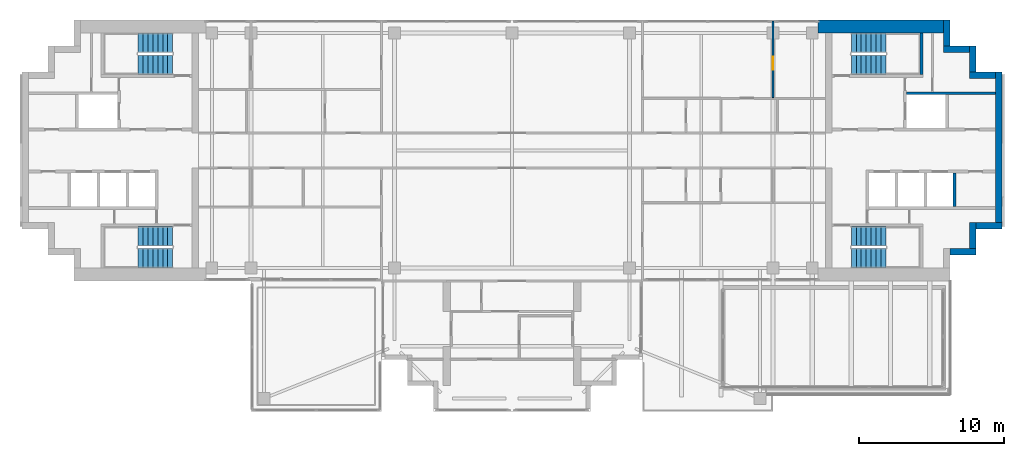
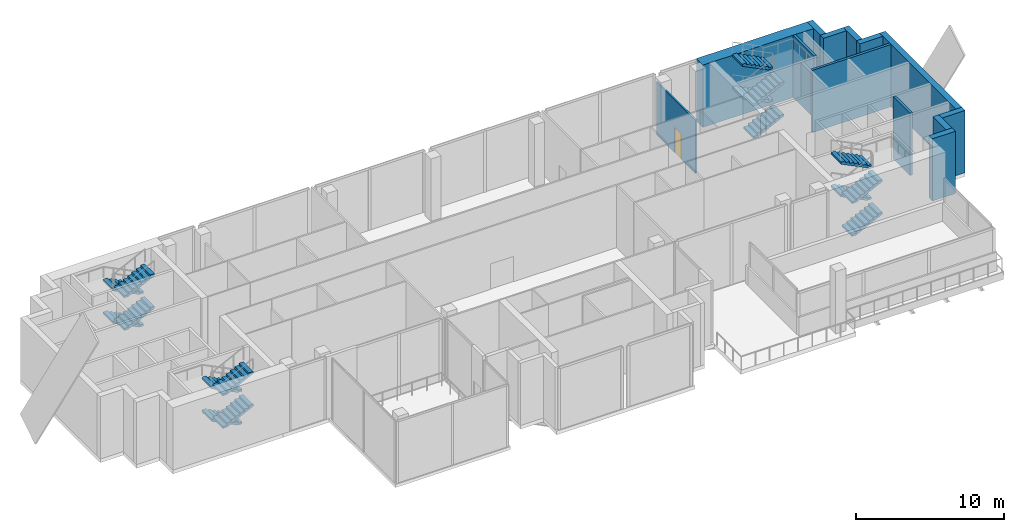
# One storey, part 10 of 14: 16 stair flights, 13 walls, 1 door, 1 opening, 4 elements without a shape of their own.
"""IFC4 building model written with IfcOpenShell, lengths in metres."""

from ifc_helpers import new_model, si_unit, direction, frame, frame_2d, origin, place, context, subcontext, project, spatial, polyline, rectangle, outline, extrude, material, layer, layer_set, type_object, element, fill, aggregate, save


model = new_model("IFC4")

# Units and contexts
model_context = context("Model", 3, precision=1e-05, world=origin(), true_north=direction((0.0, 1.0)))
body_context = subcontext(model_context, "Body", "Model", "MODEL_VIEW")
ifc_project = project(units=[si_unit("LENGTHUNIT", "METRE"), si_unit("AREAUNIT", "SQUARE_METRE"), si_unit("VOLUMEUNIT", "CUBIC_METRE"), si_unit("PLANEANGLEUNIT", "RADIAN"), si_unit("MASSUNIT", "GRAM", prefix="KILO")], contexts=[model_context])

# Site, building, storey
site_placement = place(None, origin())
site = spatial("IfcSite", under=ifc_project, at=site_placement, CompositionType="ELEMENT")
building_placement = place(site_placement, origin())
building = spatial("IfcBuilding", under=site, at=building_placement, Name="Perihelion Cross Residences", CompositionType="ELEMENT")
storey_placement = place(building_placement, frame((0.0, 0.0, 285.0)))
storey = spatial("IfcBuildingStorey", under=building, at=storey_placement, Name="L73", CompositionType="ELEMENT", Elevation=285.0)

# Walls
ifc_material_1 = material(Name="Concrete C60/75", Category="concrete")
ifc_layer_1 = layer(ifc_material_1, 0.449951171875)
ifc_layer_set_1 = layer_set([ifc_layer_1], Name="Core wall, outer 450")
wall_type_1 = type_object("IfcWallType", Name="Core wall, outer 450", PredefinedType="SHEAR", material=ifc_layer_set_1)
for number, where, z_axis, x_axis, name in (
    (1, (30.199951171875, -6.97509765625, 0.0), (0.0, 0.0, 1.0), (1.0, 0.0, 0.0), "East core core wall, outer"),
    (2, (31.77490234375, -6.75, 0.0), (0.0, 0.0, 1.0), (0.0, 1.0, 0.0), "East core core wall, outer"),
    (3, (32.0, -5.175048828125, 0.0), (0.0, 0.0, 1.0), (1.0, 0.0, 0.0), "East core core wall, outer"),
):
    element("IfcWall", number, at=place(storey_placement, frame(where, z_axis=z_axis, x_axis=x_axis)), inside=storey, type_object=wall_type_1, Name=name, PredefinedType="SHEAR", context=body_context, shape_type="SweptSolid", body=[
        extrude(rectangle(XDim=1.800048828125, YDim=0.449951171875, at=frame_2d((0.89990234375, 0.0))), origin(), (0.0, 0.0, 1.0), 5.14990234375),
    ])
wall_1_placement = place(storey_placement, frame((33.574951171875, -4.949951171875, 0.0), z_axis=(0.0, 0.0, 1.0), x_axis=(0.0, 1.0, 0.0)))
element("IfcWall", 4, at=wall_1_placement, inside=storey, type_object=wall_type_1, Name="East core core wall, outer", PredefinedType="SHEAR", context=body_context, shape_type="SweptSolid", body=[
    extrude(rectangle(XDim=10.349853515625, YDim=0.449951171875, at=frame_2d((5.1748046875, 0.0))), origin(), (0.0, 0.0, 1.0), 5.14990234375),
])
for number, where, z_axis, x_axis, name in (
    (5, (31.550048828125, 5.175048828125, 0.0), (0.0, 0.0, 1.0), (1.0, 0.0, 0.0), "East core core wall, outer"),
    (6, (31.77490234375, 5.39990234375, 0.0), (0.0, 0.0, 1.0), (0.0, 1.0, 0.0), "East core core wall, outer"),
    (7, (29.75, 6.97509765625, 0.0), (0.0, 0.0, 1.0), (1.0, 0.0, 0.0), "East core core wall, outer"),
    (8, (29.97509765625, 7.199951171875, 0.0), (0.0, 0.0, 1.0), (0.0, 1.0, 0.0), "East core core wall, outer"),
):
    element("IfcWall", number, at=place(storey_placement, frame(where, z_axis=z_axis, x_axis=x_axis)), inside=storey, type_object=wall_type_1, Name=name, PredefinedType="SHEAR", context=body_context, shape_type="SweptSolid", body=[
        extrude(rectangle(XDim=1.800048828125, YDim=0.449951171875, at=frame_2d((0.89990234375, 0.0))), origin(), (0.0, 0.0, 1.0), 5.14990234375),
    ])
ifc_material_2 = material(Name="Concrete C60/75", Category="concrete")
ifc_layer_2 = layer(ifc_material_2, 0.89990234375)
ifc_layer_set_2 = layer_set([ifc_layer_2], Name="Core wall, outer 900")
wall_type_2 = type_object("IfcWallType", Name="Core wall, outer 900", PredefinedType="SHEAR", material=ifc_layer_set_2)
wall_2_placement = place(storey_placement, frame((21.10009765625, 8.550048828125, 0.0), z_axis=(0.0, 0.0, 1.0), x_axis=(1.0, 0.0, 0.0)))
element("IfcWall", 9, at=wall_2_placement, inside=storey, type_object=wall_type_2, Name="East core core wall, outer", PredefinedType="SHEAR", context=body_context, shape_type="SweptSolid", body=[
    extrude(rectangle(XDim=8.64990234375, YDim=0.89990234375, at=frame_2d((4.324951171875, 0.0))), origin(), (0.0, 0.0, 1.0), 5.14990234375),
])

# Wall, opening, door
ifc_material_3 = material(Name="Plasterboard partition")
ifc_layer_3 = layer(ifc_material_3, 0.1201171875)
ifc_layer_set_3 = layer_set([ifc_layer_3], Name="Partition wall 120")
wall_type_3 = type_object("IfcWallType", Name="Partition wall 120", PredefinedType="PARTITIONING", material=ifc_layer_set_3)
wall_3_placement = place(storey_placement, frame((18.0, 8.919921875, 0.0), z_axis=(0.0, 0.0, 1.0), x_axis=(0.0, -1.0, 0.0)))
wall_3 = element("IfcWall", 10, at=wall_3_placement, inside=storey, type_object=wall_type_3, Name="Partition L73 W014", PredefinedType="PARTITIONING", context=body_context, shape_type="SweptSolid", body=[
    extrude(rectangle(XDim=5.27001953125, YDim=0.1201171875, at=frame_2d((2.635009765625, 0.0))), origin(), (0.0, 0.0, 1.0), 4.39599609375),
])
opening_placement = place(wall_3_placement, frame((2.445068359375, 0.0, 0.0)))
opening = element("IfcOpeningElement", 11, at=opening_placement, cuts=wall_3, Name="Opening L73.A17", PredefinedType="OPENING", context=body_context, shape_type="SweptSolid", body=[
    extrude(rectangle(XDim=0.89990234375, YDim=2.10009765625, at=frame_2d((0.449951171875, 1.050048828125))), frame((0.0, 0.070068359375, 0.0), z_axis=(0.0, -1.0, 0.0), x_axis=(1.0, 0.0, 0.0)), (0.0, 0.0, 1.0), 0.14013671875),
])
ifc_material_4 = material(Name="Timber door leaf", Category="wood")
door_type = type_object("IfcDoorType", Name="Interior room door 900 x 2100", OperationType="SINGLE_SWING_LEFT", PredefinedType="DOOR", material=ifc_material_4)
door_placement = place(opening_placement, origin())
door = element("IfcDoor", 12, at=door_placement, inside=storey, type_object=door_type, Name="Door L73.A17", OperationType="SINGLE_SWING_RIGHT", OverallHeight=2.10009765625, OverallWidth=0.89990234375, PredefinedType="DOOR", context=body_context, shape_type="SweptSolid", body=[
    extrude(rectangle(XDim=0.89990234375, YDim=2.10009765625, at=frame_2d((0.449951171875, 1.050048828125))), frame((0.0, 0.02490234375, 0.0), z_axis=(0.0, -1.0, 0.0), x_axis=(1.0, 0.0, 0.0)), (0.0, 0.0, 1.0), 0.050048828125),
])
fill(opening, door)

# Walls
ifc_material_5 = material(Name="Concrete C50/60", Category="concrete")
ifc_layer_4 = layer(ifc_material_5, 0.199951171875)
ifc_layer_set_4 = layer_set([ifc_layer_4], Name="Shaft wall 200")
wall_type_4 = type_object("IfcWallType", Name="Shaft wall 200", PredefinedType="SOLIDWALL", material=ifc_layer_set_4)
wall_4_placement = place(storey_placement, frame((27.199951171875, 3.949951171875, 0.0), z_axis=(0.0, 0.0, 1.0), x_axis=(1.0, 0.0, 0.0)))
element("IfcWall", 13, at=wall_4_placement, inside=storey, type_object=wall_type_4, Name="East core shaft wall", PredefinedType="SOLIDWALL", context=body_context, shape_type="SweptSolid", body=[
    extrude(rectangle(XDim=6.150146484375, YDim=0.199951171875, at=frame_2d((3.0751953125, 0.0))), origin(), (0.0, 0.0, 1.0), 5.14990234375),
])
wall_5_placement = place(storey_placement, frame((30.5, -3.85009765625, 0.0), z_axis=(0.0, 0.0, 1.0), x_axis=(0.0, 1.0, 0.0)))
element("IfcWall", 14, at=wall_5_placement, inside=storey, type_object=wall_type_4, Name="East core shaft wall", PredefinedType="SOLIDWALL", context=body_context, shape_type="SweptSolid", body=[
    extrude(rectangle(XDim=2.300048828125, YDim=0.199951171875, at=frame_2d((1.14990234375, 0.0))), origin(), (0.0, 0.0, 1.0), 5.14990234375),
])
ifc_material_6 = material(Name="Concrete C50/60", Category="concrete")
ifc_layer_5 = layer(ifc_material_6, 0.199951171875)
ifc_layer_set_5 = layer_set([ifc_layer_5], Name="Stair wall 200")
wall_type_5 = type_object("IfcWallType", Name="Stair wall 200", PredefinedType="SOLIDWALL", material=ifc_layer_set_5)
wall_6_placement = place(storey_placement, frame((28.25, 5.25, 0.0), z_axis=(0.0, 0.0, 1.0), x_axis=(0.0, 1.0, 0.0)))
element("IfcWall", 15, at=wall_6_placement, inside=storey, type_object=wall_type_5, Name="East core stair wall", PredefinedType="SOLIDWALL", context=body_context, shape_type="SweptSolid", body=[
    extrude(rectangle(XDim=2.85009765625, YDim=0.199951171875, at=frame_2d((1.425048828125, 0.0))), origin(), (0.0, 0.0, 1.0), 5.14990234375),
])

# Stair, stair flights
ifc_material_7 = material(Name="Concrete C40/50", Category="concrete")
stair_type = type_object("IfcStairType", Name="Exit stair, half-turn", PredefinedType="HALF_TURN_STAIR", material=ifc_material_7)
stair_1_placement = place(storey_placement, origin())
stair_1 = element("IfcStair", 16, at=stair_1_placement, inside=storey, type_object=stair_type, Name="L73 East core exit stair 1", PredefinedType="HALF_TURN_STAIR")
ifc_material_8 = material(Name="Concrete C40/50", Category="concrete")
stair_flight_type = type_object("IfcStairFlightType", Name="Exit stair flight", PredefinedType="STRAIGHT", material=ifc_material_8)
stair_flight_1_placement = place(storey_placement, frame((23.39990234375, 5.925048828125, 0.0), z_axis=(0.0, 0.0, 1.0), x_axis=(1.0, 0.0, 0.0)))
stair_flight_1 = element("IfcStairFlight", 17, at=stair_flight_1_placement, type_object=stair_flight_type, Name="ST-E1 flight 1", NumberOfRisers=8, NumberOfTreads=7, PredefinedType="STRAIGHT", RiserHeight=0.16875, TreadLength=0.34, context=body_context, shape_type="SweptSolid", body=[
    extrude(outline(polyline([(0.0, 0.0), (0.0, 0.168701171875), (0.340087890625, 0.168701171875), (0.340087890625, 0.33740234375), (0.679931640625, 0.33740234375), (0.679931640625, 0.50634765625), (1.02001953125, 0.50634765625), (1.02001953125, 0.675048828125), (1.360107421875, 0.675048828125), (1.360107421875, 0.84375), (1.699951171875, 0.84375), (1.699951171875, 1.012451171875), (2.0400390625, 1.012451171875), (2.0400390625, 1.18115234375), (2.3798828125, 1.18115234375), (2.3798828125, 1.35009765625), (2.3798828125, 1.013916015625), (0.337158203125, 0.0), (0.0, 0.0)])), frame((0.0, 0.675048828125, 0.0), z_axis=(0.0, -1.0, 0.0), x_axis=(1.0, 0.0, 0.0)), (0.0, 0.0, 1.0), 1.35009765625),
])
stair_flight_2_placement = place(storey_placement, frame((25.780029296875, 7.425048828125, 1.35009765625), z_axis=(0.0, 0.0, 1.0), x_axis=(-1.0, 0.0, 0.0)))
stair_flight_2 = element("IfcStairFlight", 18, at=stair_flight_2_placement, type_object=stair_flight_type, Name="ST-E1 flight 2", NumberOfRisers=8, NumberOfTreads=7, PredefinedType="STRAIGHT", RiserHeight=0.16875, TreadLength=0.34, context=body_context, shape_type="SweptSolid", body=[
    extrude(outline(polyline([(0.0, 0.0), (0.0, 0.168701171875), (0.340087890625, 0.168701171875), (0.340087890625, 0.33740234375), (0.679931640625, 0.33740234375), (0.679931640625, 0.50634765625), (1.02001953125, 0.50634765625), (1.02001953125, 0.675048828125), (1.360107421875, 0.675048828125), (1.360107421875, 0.84375), (1.699951171875, 0.84375), (1.699951171875, 1.012451171875), (2.0400390625, 1.012451171875), (2.0400390625, 1.18115234375), (2.3798828125, 1.18115234375), (2.3798828125, 1.35009765625), (2.3798828125, 1.013916015625), (0.337158203125, 0.0), (0.0, 0.0)])), frame((0.0, 0.675048828125, 0.0), z_axis=(0.0, -1.0, 0.0), x_axis=(1.0, 0.0, 0.0)), (0.0, 0.0, 1.0), 1.35009765625),
])
stair_flight_3_placement = place(storey_placement, frame((23.39990234375, 5.925048828125, 2.699951171875), z_axis=(0.0, 0.0, 1.0), x_axis=(1.0, 0.0, 0.0)))
stair_flight_3 = element("IfcStairFlight", 19, at=stair_flight_3_placement, type_object=stair_flight_type, Name="ST-E1 flight 3", NumberOfRisers=8, NumberOfTreads=7, PredefinedType="STRAIGHT", RiserHeight=0.16875, TreadLength=0.34, context=body_context, shape_type="SweptSolid", body=[
    extrude(outline(polyline([(0.0, 0.0), (0.0, 0.168701171875), (0.340087890625, 0.168701171875), (0.340087890625, 0.33740234375), (0.679931640625, 0.33740234375), (0.679931640625, 0.50634765625), (1.02001953125, 0.50634765625), (1.02001953125, 0.675048828125), (1.360107421875, 0.675048828125), (1.360107421875, 0.84375), (1.699951171875, 0.84375), (1.699951171875, 1.012451171875), (2.0400390625, 1.012451171875), (2.0400390625, 1.18115234375), (2.3798828125, 1.18115234375), (2.3798828125, 1.35009765625), (2.3798828125, 1.013916015625), (0.337158203125, 0.0), (0.0, 0.0)])), frame((0.0, 0.675048828125, 0.0), z_axis=(0.0, -1.0, 0.0), x_axis=(1.0, 0.0, 0.0)), (0.0, 0.0, 1.0), 1.35009765625),
])
stair_flight_4_placement = place(storey_placement, frame((25.780029296875, 7.425048828125, 4.050048828125), z_axis=(0.0, 0.0, 1.0), x_axis=(-1.0, 0.0, 0.0)))
stair_flight_4 = element("IfcStairFlight", 20, at=stair_flight_4_placement, type_object=stair_flight_type, Name="ST-E1 flight 4", NumberOfRisers=8, NumberOfTreads=7, PredefinedType="STRAIGHT", RiserHeight=0.16875, TreadLength=0.34, context=body_context, shape_type="SweptSolid", body=[
    extrude(outline(polyline([(0.0, 0.0), (0.0, 0.168701171875), (0.340087890625, 0.168701171875), (0.340087890625, 0.33740234375), (0.679931640625, 0.33740234375), (0.679931640625, 0.50634765625), (1.02001953125, 0.50634765625), (1.02001953125, 0.675048828125), (1.360107421875, 0.675048828125), (1.360107421875, 0.84375), (1.699951171875, 0.84375), (1.699951171875, 1.012451171875), (2.0400390625, 1.012451171875), (2.0400390625, 1.18115234375), (2.3798828125, 1.18115234375), (2.3798828125, 1.35009765625), (2.3798828125, 1.013916015625), (0.337158203125, 0.0), (0.0, 0.0)])), frame((0.0, 0.675048828125, 0.0), z_axis=(0.0, -1.0, 0.0), x_axis=(1.0, 0.0, 0.0)), (0.0, 0.0, 1.0), 1.35009765625),
])
aggregate(stair_1, [stair_flight_1, stair_flight_2, stair_flight_3, stair_flight_4])

stair_2_placement = place(storey_placement, origin())
stair_2 = element("IfcStair", 21, at=stair_2_placement, inside=storey, type_object=stair_type, Name="L73 East core exit stair 2", PredefinedType="HALF_TURN_STAIR")
stair_flight_5_placement = place(storey_placement, frame((23.39990234375, -7.425048828125, 0.0), z_axis=(0.0, 0.0, 1.0), x_axis=(1.0, 0.0, 0.0)))
stair_flight_5 = element("IfcStairFlight", 22, at=stair_flight_5_placement, type_object=stair_flight_type, Name="ST-E2 flight 1", NumberOfRisers=8, NumberOfTreads=7, PredefinedType="STRAIGHT", RiserHeight=0.16875, TreadLength=0.34, context=body_context, shape_type="SweptSolid", body=[
    extrude(outline(polyline([(0.0, 0.0), (0.0, 0.168701171875), (0.340087890625, 0.168701171875), (0.340087890625, 0.33740234375), (0.679931640625, 0.33740234375), (0.679931640625, 0.50634765625), (1.02001953125, 0.50634765625), (1.02001953125, 0.675048828125), (1.360107421875, 0.675048828125), (1.360107421875, 0.84375), (1.699951171875, 0.84375), (1.699951171875, 1.012451171875), (2.0400390625, 1.012451171875), (2.0400390625, 1.18115234375), (2.3798828125, 1.18115234375), (2.3798828125, 1.35009765625), (2.3798828125, 1.013916015625), (0.337158203125, 0.0), (0.0, 0.0)])), frame((0.0, 0.675048828125, 0.0), z_axis=(0.0, -1.0, 0.0), x_axis=(1.0, 0.0, 0.0)), (0.0, 0.0, 1.0), 1.35009765625),
])
stair_flight_6_placement = place(storey_placement, frame((25.780029296875, -5.925048828125, 1.35009765625), z_axis=(0.0, 0.0, 1.0), x_axis=(-1.0, 0.0, 0.0)))
stair_flight_6 = element("IfcStairFlight", 23, at=stair_flight_6_placement, type_object=stair_flight_type, Name="ST-E2 flight 2", NumberOfRisers=8, NumberOfTreads=7, PredefinedType="STRAIGHT", RiserHeight=0.16875, TreadLength=0.34, context=body_context, shape_type="SweptSolid", body=[
    extrude(outline(polyline([(0.0, 0.0), (0.0, 0.168701171875), (0.340087890625, 0.168701171875), (0.340087890625, 0.33740234375), (0.679931640625, 0.33740234375), (0.679931640625, 0.50634765625), (1.02001953125, 0.50634765625), (1.02001953125, 0.675048828125), (1.360107421875, 0.675048828125), (1.360107421875, 0.84375), (1.699951171875, 0.84375), (1.699951171875, 1.012451171875), (2.0400390625, 1.012451171875), (2.0400390625, 1.18115234375), (2.3798828125, 1.18115234375), (2.3798828125, 1.35009765625), (2.3798828125, 1.013916015625), (0.337158203125, 0.0), (0.0, 0.0)])), frame((0.0, 0.675048828125, 0.0), z_axis=(0.0, -1.0, 0.0), x_axis=(1.0, 0.0, 0.0)), (0.0, 0.0, 1.0), 1.35009765625),
])
stair_flight_7_placement = place(storey_placement, frame((23.39990234375, -7.425048828125, 2.699951171875), z_axis=(0.0, 0.0, 1.0), x_axis=(1.0, 0.0, 0.0)))
stair_flight_7 = element("IfcStairFlight", 24, at=stair_flight_7_placement, type_object=stair_flight_type, Name="ST-E2 flight 3", NumberOfRisers=8, NumberOfTreads=7, PredefinedType="STRAIGHT", RiserHeight=0.16875, TreadLength=0.34, context=body_context, shape_type="SweptSolid", body=[
    extrude(outline(polyline([(0.0, 0.0), (0.0, 0.168701171875), (0.340087890625, 0.168701171875), (0.340087890625, 0.33740234375), (0.679931640625, 0.33740234375), (0.679931640625, 0.50634765625), (1.02001953125, 0.50634765625), (1.02001953125, 0.675048828125), (1.360107421875, 0.675048828125), (1.360107421875, 0.84375), (1.699951171875, 0.84375), (1.699951171875, 1.012451171875), (2.0400390625, 1.012451171875), (2.0400390625, 1.18115234375), (2.3798828125, 1.18115234375), (2.3798828125, 1.35009765625), (2.3798828125, 1.013916015625), (0.337158203125, 0.0), (0.0, 0.0)])), frame((0.0, 0.675048828125, 0.0), z_axis=(0.0, -1.0, 0.0), x_axis=(1.0, 0.0, 0.0)), (0.0, 0.0, 1.0), 1.35009765625),
])
stair_flight_8_placement = place(storey_placement, frame((25.780029296875, -5.925048828125, 4.050048828125), z_axis=(0.0, 0.0, 1.0), x_axis=(-1.0, 0.0, 0.0)))
stair_flight_8 = element("IfcStairFlight", 25, at=stair_flight_8_placement, type_object=stair_flight_type, Name="ST-E2 flight 4", NumberOfRisers=8, NumberOfTreads=7, PredefinedType="STRAIGHT", RiserHeight=0.16875, TreadLength=0.34, context=body_context, shape_type="SweptSolid", body=[
    extrude(outline(polyline([(0.0, 0.0), (0.0, 0.168701171875), (0.340087890625, 0.168701171875), (0.340087890625, 0.33740234375), (0.679931640625, 0.33740234375), (0.679931640625, 0.50634765625), (1.02001953125, 0.50634765625), (1.02001953125, 0.675048828125), (1.360107421875, 0.675048828125), (1.360107421875, 0.84375), (1.699951171875, 0.84375), (1.699951171875, 1.012451171875), (2.0400390625, 1.012451171875), (2.0400390625, 1.18115234375), (2.3798828125, 1.18115234375), (2.3798828125, 1.35009765625), (2.3798828125, 1.013916015625), (0.337158203125, 0.0), (0.0, 0.0)])), frame((0.0, 0.675048828125, 0.0), z_axis=(0.0, -1.0, 0.0), x_axis=(1.0, 0.0, 0.0)), (0.0, 0.0, 1.0), 1.35009765625),
])
aggregate(stair_2, [stair_flight_5, stair_flight_6, stair_flight_7, stair_flight_8])

stair_3_placement = place(storey_placement, origin())
stair_3 = element("IfcStair", 26, at=stair_3_placement, inside=storey, type_object=stair_type, Name="L73 West core exit stair 1", PredefinedType="HALF_TURN_STAIR")
stair_flight_9_placement = place(storey_placement, frame((-23.39990234375, 7.425048828125, 0.0), z_axis=(0.0, 0.0, 1.0), x_axis=(-1.0, 0.0, 0.0)))
stair_flight_9 = element("IfcStairFlight", 27, at=stair_flight_9_placement, type_object=stair_flight_type, Name="ST-W1 flight 1", NumberOfRisers=8, NumberOfTreads=7, PredefinedType="STRAIGHT", RiserHeight=0.16875, TreadLength=0.34, context=body_context, shape_type="SweptSolid", body=[
    extrude(outline(polyline([(0.0, 0.0), (0.0, 0.168701171875), (0.340087890625, 0.168701171875), (0.340087890625, 0.33740234375), (0.679931640625, 0.33740234375), (0.679931640625, 0.50634765625), (1.02001953125, 0.50634765625), (1.02001953125, 0.675048828125), (1.360107421875, 0.675048828125), (1.360107421875, 0.84375), (1.699951171875, 0.84375), (1.699951171875, 1.012451171875), (2.0400390625, 1.012451171875), (2.0400390625, 1.18115234375), (2.3798828125, 1.18115234375), (2.3798828125, 1.35009765625), (2.3798828125, 1.013916015625), (0.337158203125, 0.0), (0.0, 0.0)])), frame((0.0, 0.675048828125, 0.0), z_axis=(0.0, -1.0, 0.0), x_axis=(1.0, 0.0, 0.0)), (0.0, 0.0, 1.0), 1.35009765625),
])
stair_flight_10_placement = place(storey_placement, frame((-25.780029296875, 5.925048828125, 1.35009765625), z_axis=(0.0, 0.0, 1.0), x_axis=(1.0, 0.0, 0.0)))
stair_flight_10 = element("IfcStairFlight", 28, at=stair_flight_10_placement, type_object=stair_flight_type, Name="ST-W1 flight 2", NumberOfRisers=8, NumberOfTreads=7, PredefinedType="STRAIGHT", RiserHeight=0.16875, TreadLength=0.34, context=body_context, shape_type="SweptSolid", body=[
    extrude(outline(polyline([(0.0, 0.0), (0.0, 0.168701171875), (0.340087890625, 0.168701171875), (0.340087890625, 0.33740234375), (0.679931640625, 0.33740234375), (0.679931640625, 0.50634765625), (1.02001953125, 0.50634765625), (1.02001953125, 0.675048828125), (1.360107421875, 0.675048828125), (1.360107421875, 0.84375), (1.699951171875, 0.84375), (1.699951171875, 1.012451171875), (2.0400390625, 1.012451171875), (2.0400390625, 1.18115234375), (2.3798828125, 1.18115234375), (2.3798828125, 1.35009765625), (2.3798828125, 1.013916015625), (0.337158203125, 0.0), (0.0, 0.0)])), frame((0.0, 0.675048828125, 0.0), z_axis=(0.0, -1.0, 0.0), x_axis=(1.0, 0.0, 0.0)), (0.0, 0.0, 1.0), 1.35009765625),
])
stair_flight_11_placement = place(storey_placement, frame((-23.39990234375, 7.425048828125, 2.699951171875), z_axis=(0.0, 0.0, 1.0), x_axis=(-1.0, 0.0, 0.0)))
stair_flight_11 = element("IfcStairFlight", 29, at=stair_flight_11_placement, type_object=stair_flight_type, Name="ST-W1 flight 3", NumberOfRisers=8, NumberOfTreads=7, PredefinedType="STRAIGHT", RiserHeight=0.16875, TreadLength=0.34, context=body_context, shape_type="SweptSolid", body=[
    extrude(outline(polyline([(0.0, 0.0), (0.0, 0.168701171875), (0.340087890625, 0.168701171875), (0.340087890625, 0.33740234375), (0.679931640625, 0.33740234375), (0.679931640625, 0.50634765625), (1.02001953125, 0.50634765625), (1.02001953125, 0.675048828125), (1.360107421875, 0.675048828125), (1.360107421875, 0.84375), (1.699951171875, 0.84375), (1.699951171875, 1.012451171875), (2.0400390625, 1.012451171875), (2.0400390625, 1.18115234375), (2.3798828125, 1.18115234375), (2.3798828125, 1.35009765625), (2.3798828125, 1.013916015625), (0.337158203125, 0.0), (0.0, 0.0)])), frame((0.0, 0.675048828125, 0.0), z_axis=(0.0, -1.0, 0.0), x_axis=(1.0, 0.0, 0.0)), (0.0, 0.0, 1.0), 1.35009765625),
])
stair_flight_12_placement = place(storey_placement, frame((-25.780029296875, 5.925048828125, 4.050048828125), z_axis=(0.0, 0.0, 1.0), x_axis=(1.0, 0.0, 0.0)))
stair_flight_12 = element("IfcStairFlight", 30, at=stair_flight_12_placement, type_object=stair_flight_type, Name="ST-W1 flight 4", NumberOfRisers=8, NumberOfTreads=7, PredefinedType="STRAIGHT", RiserHeight=0.16875, TreadLength=0.34, context=body_context, shape_type="SweptSolid", body=[
    extrude(outline(polyline([(0.0, 0.0), (0.0, 0.168701171875), (0.340087890625, 0.168701171875), (0.340087890625, 0.33740234375), (0.679931640625, 0.33740234375), (0.679931640625, 0.50634765625), (1.02001953125, 0.50634765625), (1.02001953125, 0.675048828125), (1.360107421875, 0.675048828125), (1.360107421875, 0.84375), (1.699951171875, 0.84375), (1.699951171875, 1.012451171875), (2.0400390625, 1.012451171875), (2.0400390625, 1.18115234375), (2.3798828125, 1.18115234375), (2.3798828125, 1.35009765625), (2.3798828125, 1.013916015625), (0.337158203125, 0.0), (0.0, 0.0)])), frame((0.0, 0.675048828125, 0.0), z_axis=(0.0, -1.0, 0.0), x_axis=(1.0, 0.0, 0.0)), (0.0, 0.0, 1.0), 1.35009765625),
])
aggregate(stair_3, [stair_flight_9, stair_flight_10, stair_flight_11, stair_flight_12])

stair_4_placement = place(storey_placement, origin())
stair_4 = element("IfcStair", 31, at=stair_4_placement, inside=storey, type_object=stair_type, Name="L73 West core exit stair 2", PredefinedType="HALF_TURN_STAIR")
stair_flight_13_placement = place(storey_placement, frame((-23.39990234375, -5.925048828125, 0.0), z_axis=(0.0, 0.0, 1.0), x_axis=(-1.0, 0.0, 0.0)))
stair_flight_13 = element("IfcStairFlight", 32, at=stair_flight_13_placement, type_object=stair_flight_type, Name="ST-W2 flight 1", NumberOfRisers=8, NumberOfTreads=7, PredefinedType="STRAIGHT", RiserHeight=0.16875, TreadLength=0.34, context=body_context, shape_type="SweptSolid", body=[
    extrude(outline(polyline([(0.0, 0.0), (0.0, 0.168701171875), (0.340087890625, 0.168701171875), (0.340087890625, 0.33740234375), (0.679931640625, 0.33740234375), (0.679931640625, 0.50634765625), (1.02001953125, 0.50634765625), (1.02001953125, 0.675048828125), (1.360107421875, 0.675048828125), (1.360107421875, 0.84375), (1.699951171875, 0.84375), (1.699951171875, 1.012451171875), (2.0400390625, 1.012451171875), (2.0400390625, 1.18115234375), (2.3798828125, 1.18115234375), (2.3798828125, 1.35009765625), (2.3798828125, 1.013916015625), (0.337158203125, 0.0), (0.0, 0.0)])), frame((0.0, 0.675048828125, 0.0), z_axis=(0.0, -1.0, 0.0), x_axis=(1.0, 0.0, 0.0)), (0.0, 0.0, 1.0), 1.35009765625),
])
stair_flight_14_placement = place(storey_placement, frame((-25.780029296875, -7.425048828125, 1.35009765625), z_axis=(0.0, 0.0, 1.0), x_axis=(1.0, 0.0, 0.0)))
stair_flight_14 = element("IfcStairFlight", 33, at=stair_flight_14_placement, type_object=stair_flight_type, Name="ST-W2 flight 2", NumberOfRisers=8, NumberOfTreads=7, PredefinedType="STRAIGHT", RiserHeight=0.16875, TreadLength=0.34, context=body_context, shape_type="SweptSolid", body=[
    extrude(outline(polyline([(0.0, 0.0), (0.0, 0.168701171875), (0.340087890625, 0.168701171875), (0.340087890625, 0.33740234375), (0.679931640625, 0.33740234375), (0.679931640625, 0.50634765625), (1.02001953125, 0.50634765625), (1.02001953125, 0.675048828125), (1.360107421875, 0.675048828125), (1.360107421875, 0.84375), (1.699951171875, 0.84375), (1.699951171875, 1.012451171875), (2.0400390625, 1.012451171875), (2.0400390625, 1.18115234375), (2.3798828125, 1.18115234375), (2.3798828125, 1.35009765625), (2.3798828125, 1.013916015625), (0.337158203125, 0.0), (0.0, 0.0)])), frame((0.0, 0.675048828125, 0.0), z_axis=(0.0, -1.0, 0.0), x_axis=(1.0, 0.0, 0.0)), (0.0, 0.0, 1.0), 1.35009765625),
])
stair_flight_15_placement = place(storey_placement, frame((-23.39990234375, -5.925048828125, 2.699951171875), z_axis=(0.0, 0.0, 1.0), x_axis=(-1.0, 0.0, 0.0)))
stair_flight_15 = element("IfcStairFlight", 34, at=stair_flight_15_placement, type_object=stair_flight_type, Name="ST-W2 flight 3", NumberOfRisers=8, NumberOfTreads=7, PredefinedType="STRAIGHT", RiserHeight=0.16875, TreadLength=0.34, context=body_context, shape_type="SweptSolid", body=[
    extrude(outline(polyline([(0.0, 0.0), (0.0, 0.168701171875), (0.340087890625, 0.168701171875), (0.340087890625, 0.33740234375), (0.679931640625, 0.33740234375), (0.679931640625, 0.50634765625), (1.02001953125, 0.50634765625), (1.02001953125, 0.675048828125), (1.360107421875, 0.675048828125), (1.360107421875, 0.84375), (1.699951171875, 0.84375), (1.699951171875, 1.012451171875), (2.0400390625, 1.012451171875), (2.0400390625, 1.18115234375), (2.3798828125, 1.18115234375), (2.3798828125, 1.35009765625), (2.3798828125, 1.013916015625), (0.337158203125, 0.0), (0.0, 0.0)])), frame((0.0, 0.675048828125, 0.0), z_axis=(0.0, -1.0, 0.0), x_axis=(1.0, 0.0, 0.0)), (0.0, 0.0, 1.0), 1.35009765625),
])
stair_flight_16_placement = place(storey_placement, frame((-25.780029296875, -7.425048828125, 4.050048828125), z_axis=(0.0, 0.0, 1.0), x_axis=(1.0, 0.0, 0.0)))
stair_flight_16 = element("IfcStairFlight", 35, at=stair_flight_16_placement, type_object=stair_flight_type, Name="ST-W2 flight 4", NumberOfRisers=8, NumberOfTreads=7, PredefinedType="STRAIGHT", RiserHeight=0.16875, TreadLength=0.34, context=body_context, shape_type="SweptSolid", body=[
    extrude(outline(polyline([(0.0, 0.0), (0.0, 0.168701171875), (0.340087890625, 0.168701171875), (0.340087890625, 0.33740234375), (0.679931640625, 0.33740234375), (0.679931640625, 0.50634765625), (1.02001953125, 0.50634765625), (1.02001953125, 0.675048828125), (1.360107421875, 0.675048828125), (1.360107421875, 0.84375), (1.699951171875, 0.84375), (1.699951171875, 1.012451171875), (2.0400390625, 1.012451171875), (2.0400390625, 1.18115234375), (2.3798828125, 1.18115234375), (2.3798828125, 1.35009765625), (2.3798828125, 1.013916015625), (0.337158203125, 0.0), (0.0, 0.0)])), frame((0.0, 0.675048828125, 0.0), z_axis=(0.0, -1.0, 0.0), x_axis=(1.0, 0.0, 0.0)), (0.0, 0.0, 1.0), 1.35009765625),
])
aggregate(stair_4, [stair_flight_13, stair_flight_14, stair_flight_15, stair_flight_16])

save(model, "model.ifc")
